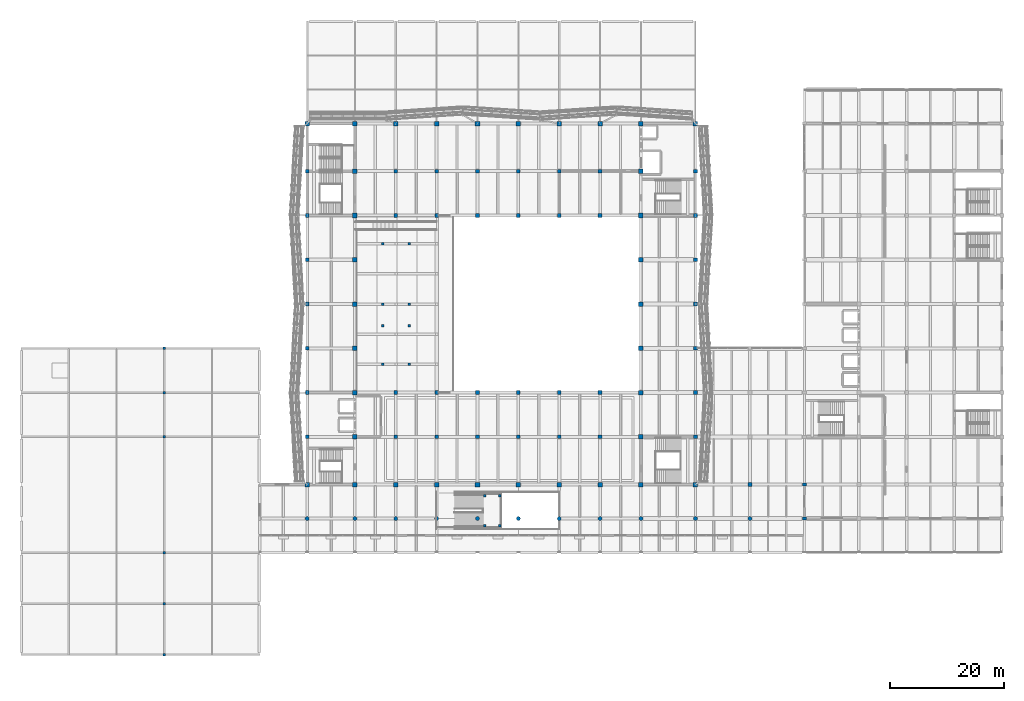
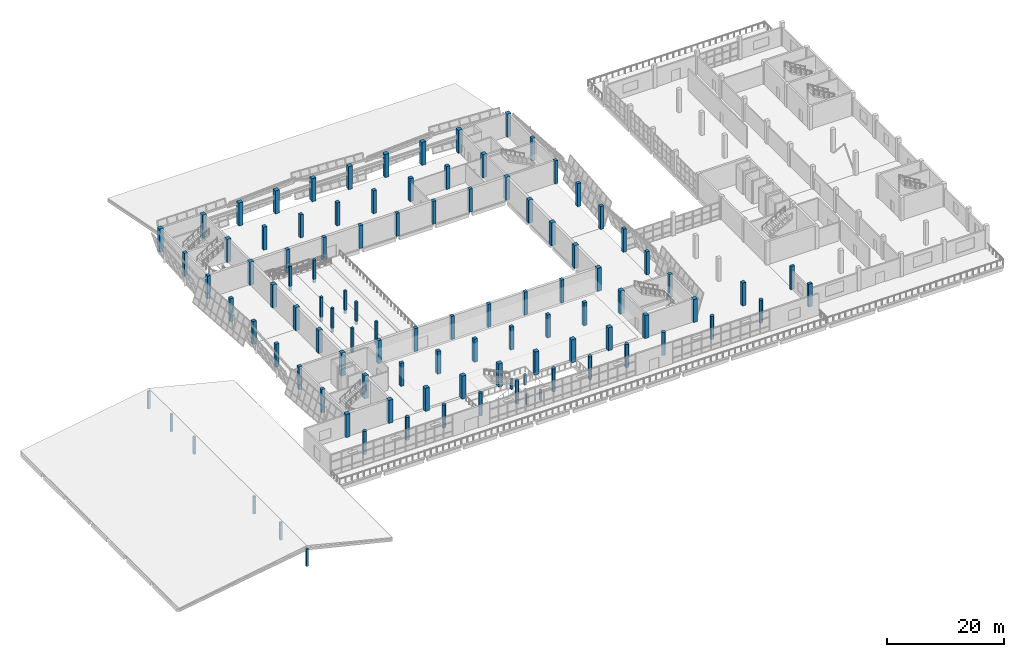
# One storey, part 1 of 79: 104 columns.
"""IFC4 building model written with IfcOpenShell, lengths in metres."""

from ifc_helpers import new_model, si_unit, direction, frame, origin, origin_2d, place, context, subcontext, project, spatial, rectangle, circle, extrude, material, material_profile, profile_set, type_object, element, save


model = new_model("IFC4")

# Units and contexts
model_context = context("Model", 3, precision=1e-05, world=origin(), true_north=direction((0.0, 1.0)))
body_context = subcontext(model_context, "Body", "Model", "MODEL_VIEW")
ifc_project = project(units=[si_unit("LENGTHUNIT", "METRE"), si_unit("AREAUNIT", "SQUARE_METRE"), si_unit("VOLUMEUNIT", "CUBIC_METRE"), si_unit("PLANEANGLEUNIT", "RADIAN"), si_unit("MASSUNIT", "GRAM", prefix="KILO")], contexts=[model_context])

# Site, building, storey
site_placement = place(None, origin())
site = spatial("IfcSite", under=ifc_project, at=site_placement, CompositionType="ELEMENT")
building_placement = place(site_placement, origin())
building = spatial("IfcBuilding", under=site, at=building_placement, Name="Pellamere Symphony Hall", CompositionType="ELEMENT")
storey_placement = place(building_placement, frame((0.0, 0.0, 10.199951171875)))
storey = spatial("IfcBuildingStorey", under=building, at=storey_placement, Name="L02", CompositionType="ELEMENT", Elevation=10.199951171875)

# Columns
ifc_material = material(Name="Concrete 40 MPa", Category="concrete")
ifc_material_profile_1 = material_profile(ifc_material, circle(Radius=0.35009765625, at=origin_2d()), Name="RCCOL D700")
ifc_profile_set_1 = profile_set([ifc_material_profile_1], Name="Concrete 40 MPa")
column_type_1 = type_object("IfcColumnType", Name="RC Circular Foyer Column CC-16 D700", PredefinedType="COLUMN", material=ifc_profile_set_1)
for number, where, z_axis, x_axis, name in (
    (1, (50.39990234375, 24.0, 0.0), (0.0, 0.0, 1.0), (1.0, 0.0, 0.0), "Column C-7D (L02)"),
    (2, (58.800048828125, 24.0, 0.0), (0.0, 0.0, 1.0), (1.0, 0.0, 0.0), "Column C-8D (L02)"),
    (3, (66.0, 24.0, 0.0), (0.0, 0.0, 1.0), (1.0, 0.0, 0.0), "Column C-9D (L02)"),
    (4, (73.199951171875, 24.0, 0.0), (0.0, 0.0, 1.0), (1.0, 0.0, 0.0), "Column C-10D (L02)"),
    (5, (80.39990234375, 24.0, 0.0), (0.0, 0.0, 1.0), (1.0, 0.0, 0.0), "Column C-11D (L02)"),
    (6, (87.60009765625, 24.0, 0.0), (0.0, 0.0, 1.0), (1.0, 0.0, 0.0), "Column C-12D (L02)"),
    (7, (94.800048828125, 24.0, 0.0), (0.0, 0.0, 1.0), (1.0, 0.0, 0.0), "Column C-13D (L02)"),
    (8, (102.0, 24.0, 0.0), (0.0, 0.0, 1.0), (1.0, 0.0, 0.0), "Column C-14D (L02)"),
    (9, (109.199951171875, 24.0, 0.0), (0.0, 0.0, 1.0), (1.0, 0.0, 0.0), "Column C-15D (L02)"),
    (10, (118.800048828125, 24.0, 0.0), (0.0, 0.0, 1.0), (1.0, 0.0, 0.0), "Column C-16D (L02)"),
    (11, (128.39990234375, 24.0, 0.0), (0.0, 0.0, 1.0), (1.0, 0.0, 0.0), "Column C-17D (L02)"),
):
    element("IfcColumn", number, at=place(storey_placement, frame(where, z_axis=z_axis, x_axis=x_axis)), inside=storey, type_object=column_type_1, Name=name, PredefinedType="COLUMN", context=body_context, shape_type="SweptSolid", body=[
        extrude(circle(Radius=0.35009765625, at=origin_2d()), origin(), (0.0, 0.0, 1.0), 4.800048828125),
    ])
ifc_material_profile_2 = material_profile(ifc_material, rectangle(XDim=0.800048828125, YDim=0.800048828125, at=origin_2d()), Name="RC 800x800")
ifc_profile_set_2 = profile_set([ifc_material_profile_2], Name="Concrete 40 MPa")
column_type_2 = type_object("IfcColumnType", Name="RC Column CC-04 800x800", PredefinedType="COLUMN", material=ifc_profile_set_2)
for number, where, z_axis, x_axis, name in (
    (12, (50.39990234375, 30.0, 0.0), (0.0, 0.0, 1.0), (1.0, 0.0, 0.0), "Column C-7E (L02)"),
    (13, (50.39990234375, 93.60009765625, 0.0), (0.0, 0.0, 1.0), (1.0, 0.0, 0.0), "Column C-7M (L02)"),
    (14, (58.800048828125, 30.0, 0.0), (0.0, 0.0, 1.0), (1.0, 0.0, 0.0), "Column C-8E (L02)"),
    (15, (58.800048828125, 38.39990234375, 0.0), (0.0, 0.0, 1.0), (1.0, 0.0, 0.0), "Column C-8F (L02)"),
    (16, (58.800048828125, 46.199951171875, 0.0), (0.0, 0.0, 1.0), (1.0, 0.0, 0.0), "Column C-8G (L02)"),
    (17, (58.800048828125, 54.0, 0.0), (0.0, 0.0, 1.0), (1.0, 0.0, 0.0), "Column C-8H (L02)"),
    (18, (58.800048828125, 61.800048828125, 0.0), (0.0, 0.0, 1.0), (1.0, 0.0, 0.0), "Column C-8I (L02)"),
    (19, (58.800048828125, 69.60009765625, 0.0), (0.0, 0.0, 1.0), (1.0, 0.0, 0.0), "Column C-8J (L02)"),
    (20, (58.800048828125, 77.39990234375, 0.0), (0.0, 0.0, 1.0), (1.0, 0.0, 0.0), "Column C-8K (L02)"),
    (21, (58.800048828125, 85.199951171875, 0.0), (0.0, 0.0, 1.0), (1.0, 0.0, 0.0), "Column C-8L (L02)"),
    (22, (58.800048828125, 93.60009765625, 0.0), (0.0, 0.0, 1.0), (1.0, 0.0, 0.0), "Column C-8M (L02)"),
    (23, (66.0, 30.0, 0.0), (0.0, 0.0, 1.0), (1.0, 0.0, 0.0), "Column C-9E (L02)"),
    (24, (66.0, 93.60009765625, 0.0), (0.0, 0.0, 1.0), (1.0, 0.0, 0.0), "Column C-9M (L02)"),
    (25, (73.199951171875, 30.0, 0.0), (0.0, 0.0, 1.0), (1.0, 0.0, 0.0), "Column C-10E (L02)"),
    (26, (73.199951171875, 93.60009765625, 0.0), (0.0, 0.0, 1.0), (1.0, 0.0, 0.0), "Column C-10M (L02)"),
    (27, (80.39990234375, 30.0, 0.0), (0.0, 0.0, 1.0), (1.0, 0.0, 0.0), "Column C-11E (L02)"),
    (28, (80.39990234375, 93.60009765625, 0.0), (0.0, 0.0, 1.0), (1.0, 0.0, 0.0), "Column C-11M (L02)"),
    (29, (87.60009765625, 30.0, 0.0), (0.0, 0.0, 1.0), (1.0, 0.0, 0.0), "Column C-12E (L02)"),
    (30, (87.60009765625, 93.60009765625, 0.0), (0.0, 0.0, 1.0), (1.0, 0.0, 0.0), "Column C-12M (L02)"),
    (31, (94.800048828125, 30.0, 0.0), (0.0, 0.0, 1.0), (1.0, 0.0, 0.0), "Column C-13E (L02)"),
    (32, (94.800048828125, 93.60009765625, 0.0), (0.0, 0.0, 1.0), (1.0, 0.0, 0.0), "Column C-13M (L02)"),
    (33, (102.0, 30.0, 0.0), (0.0, 0.0, 1.0), (1.0, 0.0, 0.0), "Column C-14E (L02)"),
    (34, (102.0, 93.60009765625, 0.0), (0.0, 0.0, 1.0), (1.0, 0.0, 0.0), "Column C-14M (L02)"),
    (35, (109.199951171875, 30.0, 0.0), (0.0, 0.0, 1.0), (1.0, 0.0, 0.0), "Column C-15E (L02)"),
    (36, (109.199951171875, 38.39990234375, 0.0), (0.0, 0.0, 1.0), (1.0, 0.0, 0.0), "Column C-15F (L02)"),
    (37, (109.199951171875, 46.199951171875, 0.0), (0.0, 0.0, 1.0), (1.0, 0.0, 0.0), "Column C-15G (L02)"),
    (38, (109.199951171875, 54.0, 0.0), (0.0, 0.0, 1.0), (1.0, 0.0, 0.0), "Column C-15H (L02)"),
    (39, (109.199951171875, 61.800048828125, 0.0), (0.0, 0.0, 1.0), (1.0, 0.0, 0.0), "Column C-15I (L02)"),
    (40, (109.199951171875, 69.60009765625, 0.0), (0.0, 0.0, 1.0), (1.0, 0.0, 0.0), "Column C-15J (L02)"),
    (41, (109.199951171875, 77.39990234375, 0.0), (0.0, 0.0, 1.0), (1.0, 0.0, 0.0), "Column C-15K (L02)"),
    (42, (109.199951171875, 85.199951171875, 0.0), (0.0, 0.0, 1.0), (1.0, 0.0, 0.0), "Column C-15L (L02)"),
    (43, (109.199951171875, 93.60009765625, 0.0), (0.0, 0.0, 1.0), (1.0, 0.0, 0.0), "Column C-15M (L02)"),
    (44, (118.800048828125, 30.0, 0.0), (0.0, 0.0, 1.0), (1.0, 0.0, 0.0), "Column C-16E (L02)"),
    (45, (118.800048828125, 93.60009765625, 0.0), (0.0, 0.0, 1.0), (1.0, 0.0, 0.0), "Column C-16M (L02)"),
):
    element("IfcColumn", number, at=place(storey_placement, frame(where, z_axis=z_axis, x_axis=x_axis)), inside=storey, type_object=column_type_2, Name=name, PredefinedType="COLUMN", context=body_context, shape_type="SweptSolid", body=[
        extrude(rectangle(XDim=0.800048828125, YDim=0.800048828125, at=origin_2d()), origin(), (0.0, 0.0, 1.0), 4.800048828125),
    ])
ifc_material_profile_3 = material_profile(ifc_material, rectangle(XDim=0.64990234375, YDim=0.64990234375, at=origin_2d()), Name="RC 650x650")
ifc_profile_set_3 = profile_set([ifc_material_profile_3], Name="Concrete 40 MPa")
column_type_3 = type_object("IfcColumnType", Name="RC Column CC-07 650x650", PredefinedType="COLUMN", material=ifc_profile_set_3)
for number, where, z_axis, x_axis, name in (
    (46, (50.39990234375, 38.39990234375, 0.0), (0.0, 0.0, 1.0), (1.0, 0.0, 0.0), "Column C-7F (L02)"),
    (47, (50.39990234375, 46.199951171875, 0.0), (0.0, 0.0, 1.0), (1.0, 0.0, 0.0), "Column C-7G (L02)"),
    (48, (50.39990234375, 54.0, 0.0), (0.0, 0.0, 1.0), (1.0, 0.0, 0.0), "Column C-7H (L02)"),
    (49, (50.39990234375, 61.800048828125, 0.0), (0.0, 0.0, 1.0), (1.0, 0.0, 0.0), "Column C-7I (L02)"),
    (50, (50.39990234375, 69.60009765625, 0.0), (0.0, 0.0, 1.0), (1.0, 0.0, 0.0), "Column C-7J (L02)"),
    (51, (50.39990234375, 77.39990234375, 0.0), (0.0, 0.0, 1.0), (1.0, 0.0, 0.0), "Column C-7K (L02)"),
    (52, (50.39990234375, 85.199951171875, 0.0), (0.0, 0.0, 1.0), (1.0, 0.0, 0.0), "Column C-7L (L02)"),
    (53, (66.0, 38.39990234375, 0.0), (0.0, 0.0, 1.0), (1.0, 0.0, 0.0), "Column C-9F (L02)"),
    (54, (66.0, 46.199951171875, 0.0), (0.0, 0.0, 1.0), (1.0, 0.0, 0.0), "Column C-9G (L02)"),
    (55, (66.0, 77.39990234375, 0.0), (0.0, 0.0, 1.0), (1.0, 0.0, 0.0), "Column C-9K (L02)"),
    (56, (66.0, 85.199951171875, 0.0), (0.0, 0.0, 1.0), (1.0, 0.0, 0.0), "Column C-9L (L02)"),
    (57, (73.199951171875, 38.39990234375, 0.0), (0.0, 0.0, 1.0), (1.0, 0.0, 0.0), "Column C-10F (L02)"),
    (58, (73.199951171875, 46.199951171875, 0.0), (0.0, 0.0, 1.0), (1.0, 0.0, 0.0), "Column C-10G (L02)"),
    (59, (73.199951171875, 77.39990234375, 0.0), (0.0, 0.0, 1.0), (1.0, 0.0, 0.0), "Column C-10K (L02)"),
    (60, (73.199951171875, 85.199951171875, 0.0), (0.0, 0.0, 1.0), (1.0, 0.0, 0.0), "Column C-10L (L02)"),
    (61, (80.39990234375, 38.39990234375, 0.0), (0.0, 0.0, 1.0), (1.0, 0.0, 0.0), "Column C-11F (L02)"),
    (62, (80.39990234375, 46.199951171875, 0.0), (0.0, 0.0, 1.0), (1.0, 0.0, 0.0), "Column C-11G (L02)"),
    (63, (80.39990234375, 77.39990234375, 0.0), (0.0, 0.0, 1.0), (1.0, 0.0, 0.0), "Column C-11K (L02)"),
    (64, (80.39990234375, 85.199951171875, 0.0), (0.0, 0.0, 1.0), (1.0, 0.0, 0.0), "Column C-11L (L02)"),
    (65, (87.60009765625, 38.39990234375, 0.0), (0.0, 0.0, 1.0), (1.0, 0.0, 0.0), "Column C-12F (L02)"),
    (66, (87.60009765625, 46.199951171875, 0.0), (0.0, 0.0, 1.0), (1.0, 0.0, 0.0), "Column C-12G (L02)"),
    (67, (87.60009765625, 77.39990234375, 0.0), (0.0, 0.0, 1.0), (1.0, 0.0, 0.0), "Column C-12K (L02)"),
    (68, (87.60009765625, 85.199951171875, 0.0), (0.0, 0.0, 1.0), (1.0, 0.0, 0.0), "Column C-12L (L02)"),
    (69, (94.800048828125, 38.39990234375, 0.0), (0.0, 0.0, 1.0), (1.0, 0.0, 0.0), "Column C-13F (L02)"),
    (70, (94.800048828125, 46.199951171875, 0.0), (0.0, 0.0, 1.0), (1.0, 0.0, 0.0), "Column C-13G (L02)"),
    (71, (94.800048828125, 77.39990234375, 0.0), (0.0, 0.0, 1.0), (1.0, 0.0, 0.0), "Column C-13K (L02)"),
    (72, (94.800048828125, 85.199951171875, 0.0), (0.0, 0.0, 1.0), (1.0, 0.0, 0.0), "Column C-13L (L02)"),
    (73, (102.0, 38.39990234375, 0.0), (0.0, 0.0, 1.0), (1.0, 0.0, 0.0), "Column C-14F (L02)"),
    (74, (102.0, 46.199951171875, 0.0), (0.0, 0.0, 1.0), (1.0, 0.0, 0.0), "Column C-14G (L02)"),
    (75, (102.0, 77.39990234375, 0.0), (0.0, 0.0, 1.0), (1.0, 0.0, 0.0), "Column C-14K (L02)"),
    (76, (102.0, 85.199951171875, 0.0), (0.0, 0.0, 1.0), (1.0, 0.0, 0.0), "Column C-14L (L02)"),
    (77, (118.800048828125, 38.39990234375, 0.0), (0.0, 0.0, 1.0), (1.0, 0.0, 0.0), "Column C-16F (L02)"),
    (78, (118.800048828125, 46.199951171875, 0.0), (0.0, 0.0, 1.0), (1.0, 0.0, 0.0), "Column C-16G (L02)"),
    (79, (118.800048828125, 54.0, 0.0), (0.0, 0.0, 1.0), (1.0, 0.0, 0.0), "Column C-16H (L02)"),
    (80, (118.800048828125, 61.800048828125, 0.0), (0.0, 0.0, 1.0), (1.0, 0.0, 0.0), "Column C-16I (L02)"),
    (81, (118.800048828125, 69.60009765625, 0.0), (0.0, 0.0, 1.0), (1.0, 0.0, 0.0), "Column C-16J (L02)"),
    (82, (118.800048828125, 77.39990234375, 0.0), (0.0, 0.0, 1.0), (1.0, 0.0, 0.0), "Column C-16K (L02)"),
    (83, (118.800048828125, 85.199951171875, 0.0), (0.0, 0.0, 1.0), (1.0, 0.0, 0.0), "Column C-16L (L02)"),
    (84, (128.39990234375, 30.0, 0.0), (0.0, 0.0, 1.0), (1.0, 0.0, 0.0), "Column C-17E (L02)"),
):
    element("IfcColumn", number, at=place(storey_placement, frame(where, z_axis=z_axis, x_axis=x_axis)), inside=storey, type_object=column_type_3, Name=name, PredefinedType="COLUMN", context=body_context, shape_type="SweptSolid", body=[
        extrude(rectangle(XDim=0.64990234375, YDim=0.64990234375, at=origin_2d()), origin(), (0.0, 0.0, 1.0), 4.800048828125),
    ])
ifc_material_profile_4 = material_profile(ifc_material, rectangle(XDim=0.75, YDim=0.5, at=origin_2d()), Name="RC 750x500")
ifc_profile_set_4 = profile_set([ifc_material_profile_4], Name="Concrete 40 MPa")
column_type_4 = type_object("IfcColumnType", Name="RC Column CC-14 750x500", PredefinedType="COLUMN", material=ifc_profile_set_4)
for number, where, z_axis, x_axis, name in (
    (85, (138.0, 24.0, 0.0), (0.0, 0.0, 1.0), (1.0, 0.0, 0.0), "Column C-18D (L02)"),
    (86, (138.0, 30.0, 0.0), (0.0, 0.0, 1.0), (1.0, 0.0, 0.0), "Column C-18E (L02)"),
):
    element("IfcColumn", number, at=place(storey_placement, frame(where, z_axis=z_axis, x_axis=x_axis)), inside=storey, type_object=column_type_4, Name=name, PredefinedType="COLUMN", context=body_context, shape_type="SweptSolid", body=[
        extrude(rectangle(XDim=0.75, YDim=0.5, at=origin_2d()), origin(), (0.0, 0.0, 1.0), 4.800048828125),
    ])
ifc_material_profile_5 = material_profile(ifc_material, rectangle(XDim=0.449951171875, YDim=0.449951171875, at=origin_2d()), Name="RC 450x450")
ifc_profile_set_5 = profile_set([ifc_material_profile_5], Name="Concrete 40 MPa")
column_type_5 = type_object("IfcColumnType", Name="RC Column CC-18 450x450", PredefinedType="COLUMN", material=ifc_profile_set_5)
for number, where, z_axis, x_axis, name in (
    (87, (63.675048828125, 51.199951171875, 0.0), (0.0, 0.0, 1.0), (1.0, 0.0, 0.0), "Under-Tier Raker Support Column RKC-022 (L02)"),
    (88, (63.675048828125, 58.0, 0.0), (0.0, 0.0, 1.0), (1.0, 0.0, 0.0), "Under-Tier Raker Support Column RKC-026 (L02)"),
    (89, (63.675048828125, 61.800048828125, 0.0), (0.0, 0.0, 1.0), (1.0, 0.0, 0.0), "Under-Tier Raker Support Column RKC-030 (L02)"),
    (90, (63.675048828125, 72.39990234375, 0.0), (0.0, 0.0, 1.0), (1.0, 0.0, 0.0), "Under-Tier Raker Support Column RKC-034 (L02)"),
):
    element("IfcColumn", number, at=place(storey_placement, frame(where, z_axis=z_axis, x_axis=x_axis)), inside=storey, type_object=column_type_5, Name=name, PredefinedType="COLUMN", context=body_context, shape_type="SweptSolid", body=[
        extrude(rectangle(XDim=0.449951171875, YDim=0.449951171875, at=origin_2d()), origin(), (0.0, 0.0, 1.0), 5.070068359375),
    ])
for number, where, z_axis, x_axis, name in (
    (91, (68.39990234375, 51.199951171875, 0.0), (0.0, 0.0, 1.0), (1.0, 0.0, 0.0), "Under-Tier Raker Support Column RKC-079 (L02)"),
    (92, (68.39990234375, 58.0, 0.0), (0.0, 0.0, 1.0), (1.0, 0.0, 0.0), "Under-Tier Raker Support Column RKC-083 (L02)"),
    (93, (68.39990234375, 61.800048828125, 0.0), (0.0, 0.0, 1.0), (1.0, 0.0, 0.0), "Under-Tier Raker Support Column RKC-087 (L02)"),
    (94, (68.39990234375, 72.39990234375, 0.0), (0.0, 0.0, 1.0), (1.0, 0.0, 0.0), "Under-Tier Raker Support Column RKC-091 (L02)"),
):
    element("IfcColumn", number, at=place(storey_placement, frame(where, z_axis=z_axis, x_axis=x_axis)), inside=storey, type_object=column_type_5, Name=name, PredefinedType="COLUMN", context=body_context, shape_type="SweptSolid", body=[
        extrude(rectangle(XDim=0.449951171875, YDim=0.449951171875, at=origin_2d()), origin(), (0.0, 0.0, 1.0), 4.719970703125),
    ])
ifc_material_profile_6 = material_profile(ifc_material, rectangle(XDim=0.419921875, YDim=0.419921875, at=origin_2d()), Name="RC 420x420")
ifc_profile_set_6 = profile_set([ifc_material_profile_6], Name="Concrete 40 MPa")
column_type_6 = type_object("IfcColumnType", Name="RC Column CC-19 420x420", PredefinedType="COLUMN", material=ifc_profile_set_6)
for number, where, z_axis, x_axis, name in (
    (95, (25.199951171875, 0.0, 0.0), (0.0, 0.0, 1.0), (1.0, 0.0, 0.0), "Under-Tier Raker Support Column RKP-V2R-1 (L02)"),
    (96, (25.199951171875, 9.0, 0.0), (0.0, 0.0, 1.0), (1.0, 0.0, 0.0), "Under-Tier Raker Support Column RKP-V2R-2 (L02)"),
    (97, (25.199951171875, 18.0, 0.0), (0.0, 0.0, 1.0), (1.0, 0.0, 0.0), "Under-Tier Raker Support Column RKP-V2R-3 (L02)"),
    (98, (25.199951171875, 38.39990234375, 0.0), (0.0, 0.0, 1.0), (1.0, 0.0, 0.0), "Under-Tier Raker Support Column RKP-V2R-4 (L02)"),
    (99, (25.199951171875, 46.199951171875, 0.0), (0.0, 0.0, 1.0), (1.0, 0.0, 0.0), "Under-Tier Raker Support Column RKP-V2R-5 (L02)"),
    (100, (25.199951171875, 54.0, 0.0), (0.0, 0.0, 1.0), (1.0, 0.0, 0.0), "Under-Tier Raker Support Column RKP-V2R-6 (L02)"),
):
    element("IfcColumn", number, at=place(storey_placement, frame(where, z_axis=z_axis, x_axis=x_axis)), inside=storey, type_object=column_type_6, Name=name, PredefinedType="COLUMN", context=body_context, shape_type="SweptSolid", body=[
        extrude(rectangle(XDim=0.419921875, YDim=0.419921875, at=origin_2d()), origin(), (0.0, 0.0, 1.0), 3.650146484375),
    ])
for number, where, z_axis, x_axis, name in (
    (101, (81.64990234375, 22.75, 0.0), (0.0, 0.0, 1.0), (1.0, 0.0, 0.0), "Feature Stair Atrium Support Column 1 (L02)"),
    (102, (84.300048828125, 22.75, 0.0), (0.0, 0.0, 1.0), (1.0, 0.0, 0.0), "Feature Stair Atrium Support Column 2 (L02)"),
    (103, (81.64990234375, 28.050048828125, 0.0), (0.0, 0.0, 1.0), (1.0, 0.0, 0.0), "Feature Stair Atrium Support Column 3 (L02)"),
    (104, (84.300048828125, 28.050048828125, 0.0), (0.0, 0.0, 1.0), (1.0, 0.0, 0.0), "Feature Stair Atrium Support Column 4 (L02)"),
):
    element("IfcColumn", number, at=place(storey_placement, frame(where, z_axis=z_axis, x_axis=x_axis)), inside=storey, type_object=column_type_6, Name=name, PredefinedType="COLUMN", context=body_context, shape_type="SweptSolid", body=[
        extrude(rectangle(XDim=0.419921875, YDim=0.419921875, at=origin_2d()), origin(), (0.0, 0.0, 1.0), 2.16015625),
    ])

save(model, "model.ifc")
